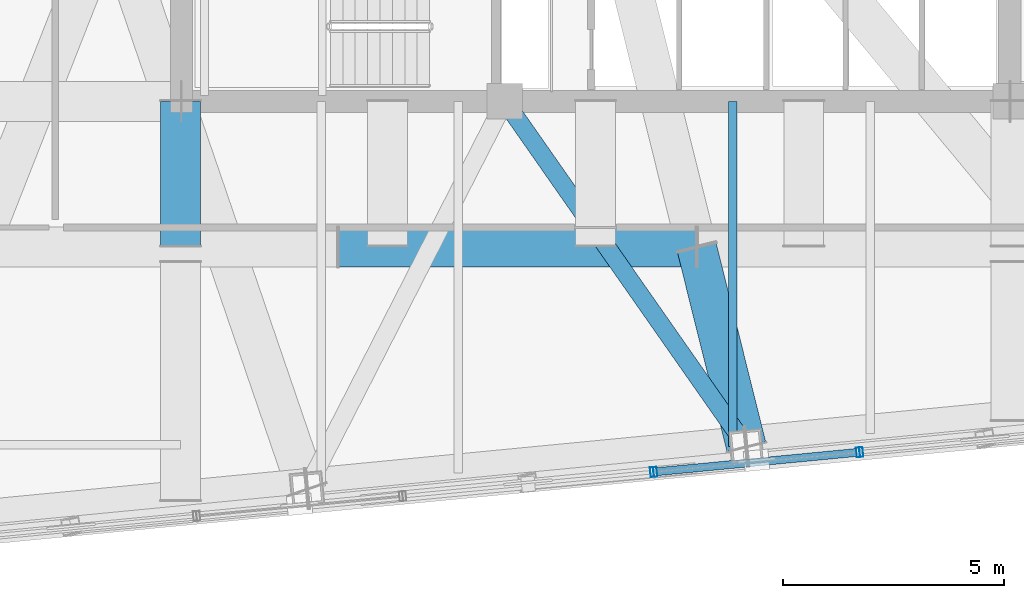
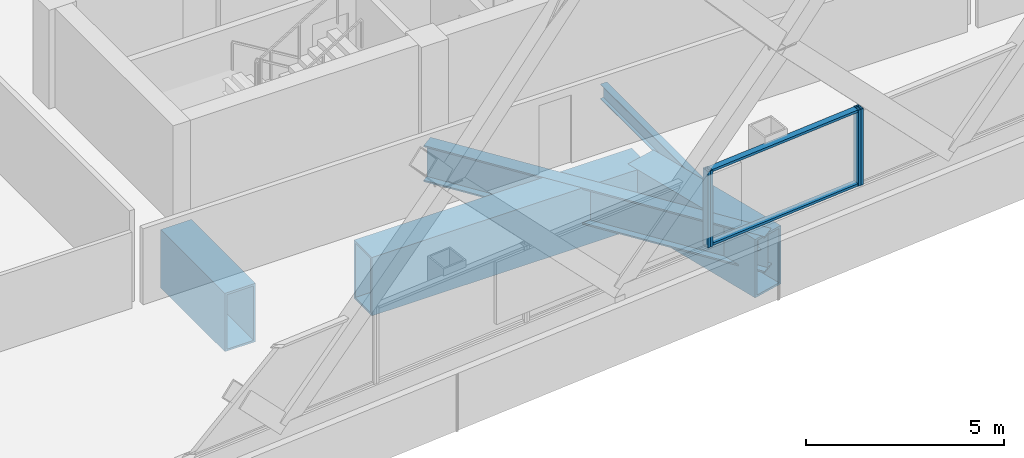
# One storey, part 7 of 37: 6 members, 5 beams, 3 elements without a shape of their own.
"""IFC4 building model written with IfcOpenShell, lengths in metres."""

from ifc_helpers import new_model, si_unit, direction, frame, origin, origin_2d, place, context, subcontext, project, spatial, hollow_rectangle, i_section, extrude, material, layer, layer_set, material_profile, profile_set, type_object, element, aggregate, save


model = new_model("IFC4")

# Units and contexts
model_context = context("Model", 3, precision=1e-05, world=origin(), true_north=direction((0.0, 1.0)))
body_context = subcontext(model_context, "Body", "Model", "MODEL_VIEW")
ifc_project = project(units=[si_unit("LENGTHUNIT", "METRE"), si_unit("AREAUNIT", "SQUARE_METRE"), si_unit("VOLUMEUNIT", "CUBIC_METRE"), si_unit("PLANEANGLEUNIT", "RADIAN"), si_unit("MASSUNIT", "GRAM", prefix="KILO")], contexts=[model_context])

# Site, building, storey
site_placement = place(None, origin())
site = spatial("IfcSite", under=ifc_project, at=site_placement, CompositionType="ELEMENT")
building_placement = place(site_placement, origin())
building = spatial("IfcBuilding", under=site, at=building_placement, Name="Qhalaya Broadcast Tower", CompositionType="ELEMENT")
storey_placement = place(building_placement, frame((0.0, 0.0, 156.14990234375)))
storey = spatial("IfcBuildingStorey", under=building, at=storey_placement, Name="L45", CompositionType="ELEMENT", Elevation=156.14990234375)

# Beams
ifc_material_1 = material(Name="Structural Steel ASTM A572 Grade 50", Category="steel")
ifc_material_profile_1 = material_profile(ifc_material_1, hollow_rectangle(XDim=0.89990234375, YDim=1.800048828125, WallThickness=0.06005859375, at=origin_2d()), Name="BOX 900x1800x60")
ifc_profile_set_1 = profile_set([ifc_material_profile_1], Name="Structural Steel ASTM A572 Grade 50")
beam_type_1 = type_object("IfcBeamType", Name="Block Cantilever Transfer Box Girder TG1", PredefinedType="USERDEFINED", material=ifc_profile_set_1)
beam_1_placement = place(storey_placement, frame((-5.820068359375, -12.0400390625, -1.119873046875), z_axis=(1.0, 0.0, 0.0), x_axis=(0.0, 1.0, 0.0)))
element("IfcBeam", 1, at=beam_1_placement, inside=storey, type_object=beam_type_1, Name="L45 TG1 L45-TGL-02", ObjectType="GIRDER", PredefinedType="USERDEFINED", context=body_context, shape_type="SweptSolid", body=[
    extrude(hollow_rectangle(XDim=0.89990234375, YDim=1.800048828125, WallThickness=0.06005859375, at=origin_2d()), origin(), (0.0, 0.0, 1.0), 8.10009765625),
])
beam_2_placement = place(storey_placement, frame((-9.375, -12.0, -1.119873046875), z_axis=(0.0, 1.0, 0.0), x_axis=(-1.0, 0.0, 0.0)))
element("IfcBeam", 2, at=beam_2_placement, inside=storey, type_object=beam_type_1, Name="L45 TG1 L45-TGISW-1", ObjectType="GIRDER", PredefinedType="USERDEFINED", context=body_context, shape_type="SweptSolid", body=[
    extrude(hollow_rectangle(XDim=0.89990234375, YDim=1.800048828125, WallThickness=0.06005859375, at=origin_2d()), origin(), (0.0, 0.0, 1.0), 3.25),
])
beam_3_placement = place(storey_placement, frame((2.280029296875, -12.0400390625, -1.119873046875), z_axis=(0.241581107054, -0.970380630843, 0.0), x_axis=(0.970380630843, 0.241581107054, 0.0)))
element("IfcBeam", 3, at=beam_3_placement, inside=storey, type_object=beam_type_1, Name="L45 Cantilever Transfer Box Girder 03", ObjectType="GIRDER", PredefinedType="USERDEFINED", context=body_context, shape_type="SweptSolid", body=[
    extrude(hollow_rectangle(XDim=0.89990234375, YDim=1.800048828125, WallThickness=0.06005859375, at=origin_2d()), origin(), (0.0, 0.0, 1.0), 4.634521484375),
])
ifc_material_2 = material(Name="Structural Steel ASTM A992 Grade 50", Category="steel")
ifc_material_profile_2 = material_profile(ifc_material_2, i_section(OverallWidth=0.19189453125, OverallDepth=0.462890625, WebThickness=0.010498046875, FlangeThickness=0.017578125, at=origin_2d()), Name="W18X60")
ifc_profile_set_2 = profile_set([ifc_material_profile_2], Name="Structural Steel ASTM A992 Grade 50")
beam_type_2 = type_object("IfcBeamType", Name="Composite Floor Joist J03", PredefinedType="JOIST", material=ifc_profile_set_2)
beam_4_placement = place(storey_placement, frame((3.10009765625, -16.546142578125, -0.451416015625), z_axis=(0.0, 1.0, 0.0), x_axis=(-1.0, 0.0, 0.0)))
element("IfcBeam", 4, at=beam_4_placement, inside=storey, type_object=beam_type_2, Name="L45 J03 L45-JNS4-1", PredefinedType="JOIST", context=body_context, shape_type="SweptSolid", body=[
    extrude(i_section(OverallWidth=0.19189453125, OverallDepth=0.462890625, WebThickness=0.010498046875, FlangeThickness=0.017578125, at=origin_2d()), origin(), (0.0, 0.0, 1.0), 7.796142578125),
])
ifc_material_profile_3 = material_profile(ifc_material_2, i_section(OverallWidth=0.404052734375, OverallDepth=1.117919921875, WebThickness=0.026123046875, FlangeThickness=0.044921875, at=origin_2d()), Name="W44X335")
ifc_profile_set_3 = profile_set([ifc_material_profile_3], Name="Structural Steel ASTM A992 Grade 50")
beam_type_3 = type_object("IfcBeamType", Name="Podium Long-Span Primary Girder PG1", PredefinedType="USERDEFINED", material=ifc_profile_set_3)
beam_5_placement = place(storey_placement, frame((-2.050048828125, -8.75, -0.77880859375), z_axis=(0.57336063068, -0.81930311069, 0.0), x_axis=(0.81930311069, 0.57336063068, 0.0)))
element("IfcBeam", 5, at=beam_5_placement, inside=storey, type_object=beam_type_3, Name="L45 Column-to-Column Moment Tie Girder 03-1", ObjectType="GIRDER", PredefinedType="USERDEFINED", context=body_context, shape_type="SweptSolid", body=[
    extrude(i_section(OverallWidth=0.404052734375, OverallDepth=1.117919921875, WebThickness=0.026123046875, FlangeThickness=0.044921875, at=origin_2d()), origin(), (0.0, 0.0, 1.0), 9.5048828125),
])

# Curtain wall, member
ifc_material_3 = material(Name="Fired Architectural Terracotta", Category="masonry")
ifc_layer_1 = layer(ifc_material_3, 0.219970703125, Name="Fired Architectural Terracotta")
ifc_layer_set_1 = layer_set([ifc_layer_1], Name="Fired Architectural Terracotta")
curtain_wall_type_1 = type_object("IfcCurtainWallType", Name="Block-Cap Unitised Terracotta Spandrel Wall CW-07", PredefinedType="NOTDEFINED", material=ifc_layer_set_1)
curtain_wall_1_placement = place(storey_placement, origin())
curtain_wall_1 = element("IfcCurtainWall", 6, at=curtain_wall_1_placement, inside=storey, type_object=curtain_wall_type_1, Name="L45 Unitised Curtain Wall L45-CW-S3", PredefinedType="NOTDEFINED")
ifc_material_4 = material(Name="Anodised Aluminium 6063-T6", Category="aluminium")
ifc_material_profile_4 = material_profile(ifc_material_4, hollow_rectangle(XDim=0.074951171875, YDim=0.219970703125, WallThickness=0.00390625, at=origin_2d()), Name="ALU-MUL 75x220x4")
ifc_profile_set_4 = profile_set([ifc_material_profile_4], Name="Anodised Aluminium 6063-T6")
member_type_1 = type_object("IfcMemberType", Name="Unitised Curtain-Wall Mullion M01", PredefinedType="MULLION", material=ifc_profile_set_4)
member_1_placement = place(storey_placement, frame((1.271240234375, -17.1240234375, 0.47998046875), z_axis=(0.0, 0.0, 1.0), x_axis=(0.995395435525, 0.095853674613, 0.0)))
member_1 = element("IfcMember", 7, at=member_1_placement, type_object=member_type_1, Name="CW-07 mullion 2", PredefinedType="MULLION", context=body_context, shape_type="SweptSolid", body=[
    extrude(hollow_rectangle(XDim=0.074951171875, YDim=0.219970703125, WallThickness=0.00390625, at=origin_2d()), origin(), (0.0, 0.0, 1.0), 2.35009765625),
])
aggregate(curtain_wall_1, [member_1])

# Curtain wall, members
ifc_material_5 = material(Name="Solar-Control Low-E Triple Glazing", Category="glass")
ifc_layer_2 = layer(ifc_material_5, 0.219970703125, Name="Solar-Control Low-E Triple Glazing")
ifc_layer_set_2 = layer_set([ifc_layer_2], Name="Solar-Control Low-E Triple Glazing")
curtain_wall_type_2 = type_object("IfcCurtainWallType", Name="Even-Block 4-Storey Double-Module Curtain Wall CW-03", PredefinedType="NOTDEFINED", material=ifc_layer_set_2)
curtain_wall_2_placement = place(storey_placement, origin())
curtain_wall_2 = element("IfcCurtainWall", 8, at=curtain_wall_2_placement, inside=storey, type_object=curtain_wall_type_2, Name="L45 Unitised Curtain Wall L45-CW-S4", PredefinedType="NOTDEFINED")
member_2_placement = place(storey_placement, frame((1.345947265625, -17.11669921875, 0.47998046875), z_axis=(0.0, 0.0, 1.0), x_axis=(0.995395691478, 0.095851016624, 0.0)))
member_2 = element("IfcMember", 9, at=member_2_placement, type_object=member_type_1, Name="CW-03 mullion 1", PredefinedType="MULLION", context=body_context, shape_type="SweptSolid", body=[
    extrude(hollow_rectangle(XDim=0.074951171875, YDim=0.219970703125, WallThickness=0.00390625, at=origin_2d()), origin(), (0.0, 0.0, 1.0), 2.35009765625),
])
member_3_placement = place(storey_placement, frame((5.923583984375, -16.676025390625, 0.47998046875), z_axis=(0.0, 0.0, 1.0), x_axis=(0.995395691478, 0.095851016624, 0.0)))
member_3 = element("IfcMember", 10, at=member_3_placement, type_object=member_type_1, Name="CW-03 mullion 2", PredefinedType="MULLION", context=body_context, shape_type="SweptSolid", body=[
    extrude(hollow_rectangle(XDim=0.074951171875, YDim=0.219970703125, WallThickness=0.00390625, at=origin_2d()), origin(), (0.0, 0.0, 1.0), 2.35009765625),
])

# Curtain wall, member
curtain_wall_3_placement = place(storey_placement, origin())
curtain_wall_3 = element("IfcCurtainWall", 11, at=curtain_wall_3_placement, inside=storey, type_object=curtain_wall_type_1, Name="L45 Unitised Curtain Wall L45-CW-S5", PredefinedType="NOTDEFINED")
member_4_placement = place(storey_placement, frame((5.998291015625, -16.668701171875, 0.47998046875), z_axis=(0.0, 0.0, 1.0), x_axis=(0.99539669829, 0.095840560477, 0.0)))
member_4 = element("IfcMember", 12, at=member_4_placement, type_object=member_type_1, Name="CW-07 mullion 1", PredefinedType="MULLION", context=body_context, shape_type="SweptSolid", body=[
    extrude(hollow_rectangle(XDim=0.074951171875, YDim=0.219970703125, WallThickness=0.00390625, at=origin_2d()), origin(), (0.0, 0.0, 1.0), 2.35009765625),
])
aggregate(curtain_wall_3, [member_4])

# Member
ifc_material_profile_5 = material_profile(ifc_material_4, hollow_rectangle(XDim=0.074951171875, YDim=0.179931640625, WallThickness=0.00390625, at=origin_2d()), Name="ALU-TRN 75x180x4")
ifc_profile_set_5 = profile_set([ifc_material_profile_5], Name="Anodised Aluminium 6063-T6")
member_type_2 = type_object("IfcMemberType", Name="Unitised Curtain-Wall Transom T01", PredefinedType="USERDEFINED", material=ifc_profile_set_5)
member_5_placement = place(storey_placement, frame((1.38330078125, -17.11328125, 0.517578125), z_axis=(0.995395967722, 0.095848147835, 0.0), x_axis=(0.0, 0.0, 1.0)))
member_5 = element("IfcMember", 13, at=member_5_placement, type_object=member_type_2, Name="CW-03 transom 1.1", ObjectType="TRANSOM", PredefinedType="USERDEFINED", context=body_context, shape_type="SweptSolid", body=[
    extrude(hollow_rectangle(XDim=0.074951171875, YDim=0.179931640625, WallThickness=0.00390625, at=origin_2d()), origin(), (0.0, 0.0, 1.0), 4.523681640625),
])

member_6_placement = place(storey_placement, frame((1.38330078125, -17.11328125, 2.79248046875), z_axis=(0.995395967722, 0.095848147835, 0.0), x_axis=(0.0, 0.0, 1.0)))
member_6 = element("IfcMember", 14, at=member_6_placement, type_object=member_type_2, Name="CW-03 transom 1.2", ObjectType="TRANSOM", PredefinedType="USERDEFINED", context=body_context, shape_type="SweptSolid", body=[
    extrude(hollow_rectangle(XDim=0.074951171875, YDim=0.179931640625, WallThickness=0.00390625, at=origin_2d()), origin(), (0.0, 0.0, 1.0), 4.523681640625),
])

aggregate(curtain_wall_2, [member_2, member_3, member_5, member_6])

save(model, "model.ifc")
